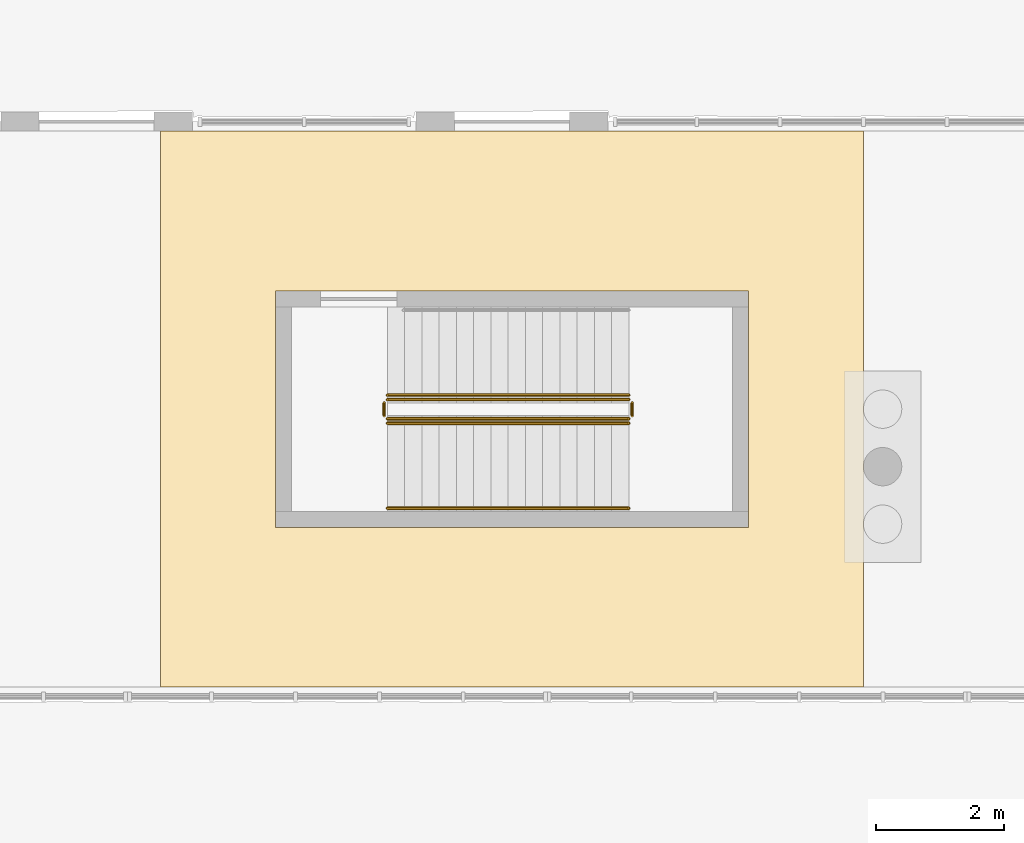
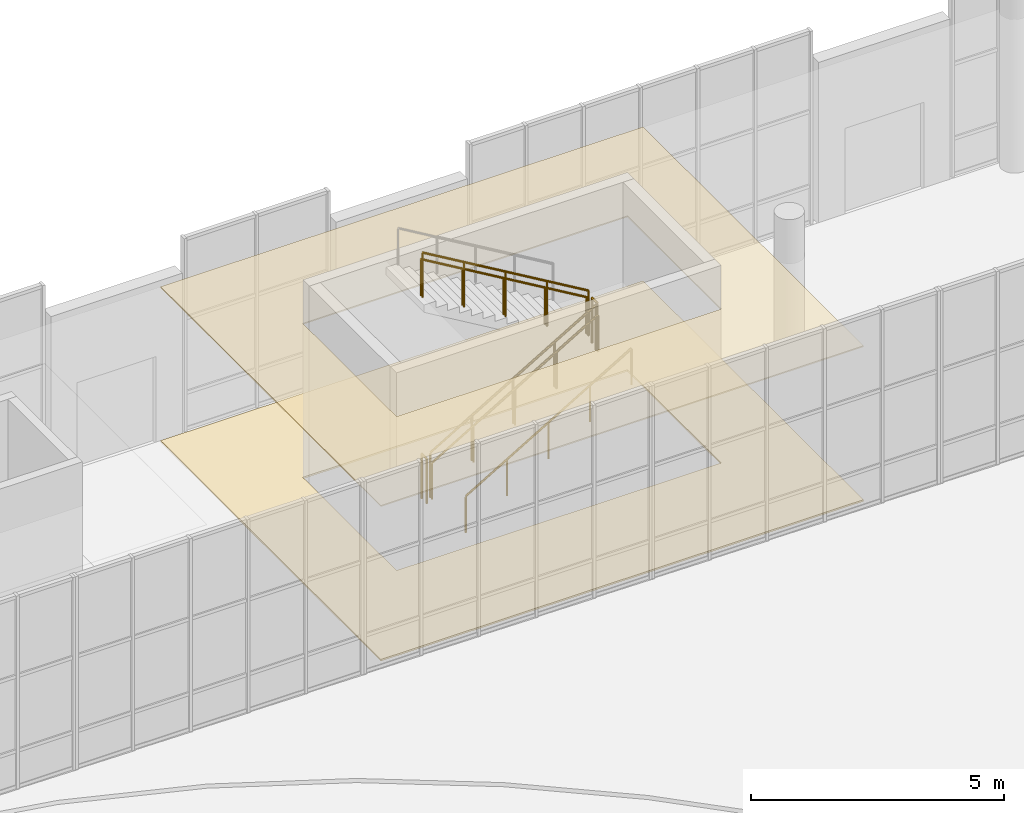
# One storey, part 104 of 110: 7 railings, 2 coverings.
"""IFC4 building model written with IfcOpenShell, lengths in metres."""

from ifc_helpers import new_model, si_unit, direction, frame, origin, origin_2d, place, context, subcontext, project, spatial, polyline, circle, outline, extrude, material, layer, layer_set, type_object, element, save


model = new_model("IFC4")

# Units and contexts
model_context = context("Model", 3, precision=1e-05, world=origin(), true_north=direction((0.0, 1.0)))
body_context = subcontext(model_context, "Body", "Model", "MODEL_VIEW")
ifc_project = project(units=[si_unit("LENGTHUNIT", "METRE"), si_unit("AREAUNIT", "SQUARE_METRE"), si_unit("VOLUMEUNIT", "CUBIC_METRE"), si_unit("PLANEANGLEUNIT", "RADIAN"), si_unit("MASSUNIT", "GRAM", prefix="KILO")], contexts=[model_context])

# Site, building, storey
site_placement = place(None, origin())
site = spatial("IfcSite", under=ifc_project, at=site_placement, CompositionType="ELEMENT")
building_placement = place(site_placement, origin())
building = spatial("IfcBuilding", under=site, at=building_placement, Name="Larchfold Concert Hall", CompositionType="ELEMENT")
storey_placement = place(building_placement, origin())
storey = spatial("IfcBuildingStorey", under=building, at=storey_placement, Name="L00", CompositionType="ELEMENT", Elevation=0.0)

# Coverings
ifc_material_1 = material(Name="Plasterboard ceiling lining")
ifc_layer_1 = layer(ifc_material_1, 0.030029296875)
ifc_layer_set_1 = layer_set([ifc_layer_1], Name="Plasterboard ceiling lining")
covering_type_1 = type_object("IfcCoveringType", Name="Ceiling suspended plasterboard 30", PredefinedType="CEILING", material=ifc_layer_set_1)
covering_1_placement = place(storey_placement, frame((0.0, 0.0, 3.719970703125)))
element("IfcCovering", 1, at=covering_1_placement, inside=storey, type_object=covering_type_1, Name="Ceiling Foyer 02", PredefinedType="CEILING", context=body_context, shape_type="SweptSolid", body=[
    extrude(outline(polyline([(67.49951171875, 131.85009765625), (56.50048828125, 131.85009765625), (56.50048828125, 123.14990234375), (67.49951171875, 123.14990234375), (67.49951171875, 131.85009765625)]), holes=[polyline([(65.699951171875, 125.64990234375), (58.300048828125, 125.64990234375), (58.300048828125, 129.35009765625), (65.699951171875, 129.35009765625), (65.699951171875, 125.64990234375)])]), origin(), (0.0, 0.0, 1.0), 0.030029296875),
])
ifc_material_2 = material(Name="Polished terrazzo")
ifc_layer_2 = layer(ifc_material_2, 0.0400390625)
ifc_layer_set_2 = layer_set([ifc_layer_2], Name="Polished terrazzo")
covering_type_2 = type_object("IfcCoveringType", Name="Floor finish terrazzo 40", PredefinedType="FLOORING", material=ifc_layer_set_2)
covering_2_placement = place(storey_placement, origin())
element("IfcCovering", 2, at=covering_2_placement, inside=storey, type_object=covering_type_2, Name="Floor finish Foyer 02", PredefinedType="FLOORING", context=body_context, shape_type="SweptSolid", body=[
    extrude(outline(polyline([(67.49951171875, 131.85009765625), (56.50048828125, 131.85009765625), (56.50048828125, 123.14990234375), (67.49951171875, 123.14990234375), (67.49951171875, 131.85009765625)]), holes=[polyline([(65.699951171875, 125.64990234375), (58.300048828125, 125.64990234375), (58.300048828125, 129.35009765625), (65.699951171875, 129.35009765625), (65.699951171875, 125.64990234375)])]), origin(), (0.0, 0.0, 1.0), 0.0400390625),
])

# Railings
ifc_material_3 = material(Name="Stainless steel balustrade", Category="steel")
railing_type_1 = type_object("IfcRailingType", Name="Stair guard 1100", PredefinedType="GUARDRAIL", material=ifc_material_3)
railing_1_placement = place(storey_placement, frame((60.050048828125, 127.349853515625, 0.159912109375)))
element("IfcRailing", 3, at=railing_1_placement, inside=storey, type_object=railing_type_1, Name="Guard GR0105", PredefinedType="GUARDRAIL", context=body_context, shape_type="SweptSolid", body=[
    extrude(circle(Radius=0.02392578125, at=origin_2d()), frame((0.0, 0.0, 1.076171875), z_axis=(0.860294241299, 0.0, 0.509797821089), x_axis=(0.0, 1.0, 0.0)), (0.0, 0.0, 1.0), 4.393798828125),
    extrude(circle(Radius=0.02099609375, at=origin_2d()), origin(), (0.0, 0.0, 1.0), 1.052001953125),
    extrude(circle(Radius=0.02099609375, at=origin_2d()), frame((0.945068359375, 0.0, 0.56005859375)), (0.0, 0.0, 1.0), 1.052001953125),
    extrude(circle(Radius=0.02099609375, at=origin_2d()), frame((1.89013671875, 0.0, 1.1201171875)), (0.0, 0.0, 1.0), 1.052001953125),
    extrude(circle(Radius=0.02099609375, at=origin_2d()), frame((2.8349609375, 0.0, 1.679931640625)), (0.0, 0.0, 1.0), 1.052001953125),
    extrude(circle(Radius=0.02099609375, at=origin_2d()), frame((3.780029296875, 0.0, 2.239990234375)), (0.0, 0.0, 1.0), 1.052001953125),
])
railing_2_placement = place(storey_placement, frame((63.880126953125, 127.39990234375, 2.39990234375)))
element("IfcRailing", 4, at=railing_2_placement, inside=storey, type_object=railing_type_1, Name="Guard GR0106", PredefinedType="GUARDRAIL", context=body_context, shape_type="SweptSolid", body=[
    extrude(circle(Radius=0.02392578125, at=origin_2d()), frame((0.0, 0.0, 1.076171875), z_axis=(0.0, 1.0, 0.0), x_axis=(-1.0, 0.0, 0.0)), (0.0, 0.0, 1.0), 0.199951171875),
    extrude(circle(Radius=0.02099609375, at=origin_2d()), origin(), (0.0, 0.0, 1.0), 1.052001953125),
    extrude(circle(Radius=0.02099609375, at=origin_2d()), frame((0.0, 0.199951171875, 0.0)), (0.0, 0.0, 1.0), 1.052001953125),
])
railing_3_placement = place(storey_placement, frame((63.830078125, 127.64990234375, 2.56005859375)))
element("IfcRailing", 5, at=railing_3_placement, inside=storey, type_object=railing_type_1, Name="Guard GR0107", PredefinedType="GUARDRAIL", context=body_context, shape_type="SweptSolid", body=[
    extrude(circle(Radius=0.02392578125, at=origin_2d()), frame((0.0, 0.0, 1.076171875), z_axis=(-0.860294241299, 0.0, 0.509797821089), x_axis=(0.0, -1.0, 0.0)), (0.0, 0.0, 1.0), 4.393798828125),
    extrude(circle(Radius=0.02099609375, at=origin_2d()), origin(), (0.0, 0.0, 1.0), 1.052001953125),
    extrude(circle(Radius=0.02099609375, at=origin_2d()), frame((-0.945068359375, 0.0, 0.56005859375)), (0.0, 0.0, 1.0), 1.052001953125),
    extrude(circle(Radius=0.02099609375, at=origin_2d()), frame((-1.89013671875, 0.0, 1.1201171875)), (0.0, 0.0, 1.0), 1.052001953125),
    extrude(circle(Radius=0.02099609375, at=origin_2d()), frame((-2.8349609375, 0.0, 1.679931640625)), (0.0, 0.0, 1.0), 1.052001953125),
    extrude(circle(Radius=0.02099609375, at=origin_2d()), frame((-3.780029296875, 0.0, 2.239990234375)), (0.0, 0.0, 1.0), 1.052001953125),
])
railing_4_placement = place(storey_placement, frame((60.0, 127.39990234375, 0.0)))
element("IfcRailing", 6, at=railing_4_placement, inside=storey, type_object=railing_type_1, Name="Guard GR0108", PredefinedType="GUARDRAIL", context=body_context, shape_type="SweptSolid", body=[
    extrude(circle(Radius=0.02392578125, at=origin_2d()), frame((0.0, 0.0, 1.076171875), z_axis=(0.0, 1.0, 0.0), x_axis=(-1.0, 0.0, 0.0)), (0.0, 0.0, 1.0), 0.199951171875),
    extrude(circle(Radius=0.02099609375, at=origin_2d()), origin(), (0.0, 0.0, 1.0), 1.052001953125),
    extrude(circle(Radius=0.02099609375, at=origin_2d()), frame((0.0, 0.199951171875, 0.0)), (0.0, 0.0, 1.0), 1.052001953125),
])
ifc_material_4 = material(Name="Stainless steel handrail", Category="steel")
railing_type_2 = type_object("IfcRailingType", Name="Stair handrail 900", PredefinedType="HANDRAIL", material=ifc_material_4)
for number, where, name in (
    (7, (60.050048828125, 125.949951171875, 0.159912109375), "Handrail HR0101"),
    (8, (60.050048828125, 127.27978515625, 0.159912109375), "Handrail HR0103"),
):
    element("IfcRailing", number, at=place(storey_placement, frame(where)), inside=storey, type_object=railing_type_2, Name=name, PredefinedType="HANDRAIL", context=body_context, shape_type="SweptSolid", body=[
        extrude(circle(Radius=0.02392578125, at=origin_2d()), frame((0.0, 0.0, 0.8759765625), z_axis=(0.860294241299, 0.0, 0.509797821089), x_axis=(0.0, 1.0, 0.0)), (0.0, 0.0, 1.0), 4.393798828125),
        extrude(circle(Radius=0.02099609375, at=origin_2d()), origin(), (0.0, 0.0, 1.0), 0.851806640625),
        extrude(circle(Radius=0.02099609375, at=origin_2d()), frame((0.945068359375, 0.0, 0.56005859375)), (0.0, 0.0, 1.0), 0.851806640625),
        extrude(circle(Radius=0.02099609375, at=origin_2d()), frame((1.89013671875, 0.0, 1.1201171875)), (0.0, 0.0, 1.0), 0.851806640625),
        extrude(circle(Radius=0.02099609375, at=origin_2d()), frame((2.8349609375, 0.0, 1.679931640625)), (0.0, 0.0, 1.0), 0.851806640625),
        extrude(circle(Radius=0.02099609375, at=origin_2d()), frame((3.780029296875, 0.0, 2.239990234375)), (0.0, 0.0, 1.0), 0.851806640625),
    ])
railing_5_placement = place(storey_placement, frame((63.830078125, 127.719970703125, 2.56005859375)))
element("IfcRailing", 9, at=railing_5_placement, inside=storey, type_object=railing_type_2, Name="Handrail HR0104", PredefinedType="HANDRAIL", context=body_context, shape_type="SweptSolid", body=[
    extrude(circle(Radius=0.02392578125, at=origin_2d()), frame((0.0, 0.0, 0.8759765625), z_axis=(-0.860294241299, 0.0, 0.509797821089), x_axis=(0.0, -1.0, 0.0)), (0.0, 0.0, 1.0), 4.393798828125),
    extrude(circle(Radius=0.02099609375, at=origin_2d()), origin(), (0.0, 0.0, 1.0), 0.851806640625),
    extrude(circle(Radius=0.02099609375, at=origin_2d()), frame((-0.945068359375, 0.0, 0.56005859375)), (0.0, 0.0, 1.0), 0.851806640625),
    extrude(circle(Radius=0.02099609375, at=origin_2d()), frame((-1.89013671875, 0.0, 1.1201171875)), (0.0, 0.0, 1.0), 0.851806640625),
    extrude(circle(Radius=0.02099609375, at=origin_2d()), frame((-2.8349609375, 0.0, 1.679931640625)), (0.0, 0.0, 1.0), 0.851806640625),
    extrude(circle(Radius=0.02099609375, at=origin_2d()), frame((-3.780029296875, 0.0, 2.239990234375)), (0.0, 0.0, 1.0), 0.851806640625),
])

save(model, "model.ifc")
